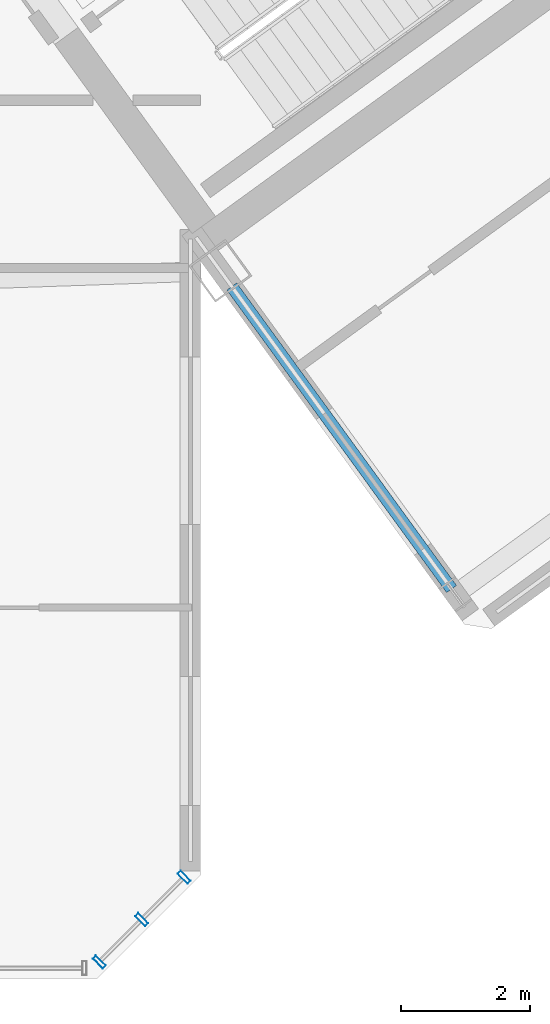
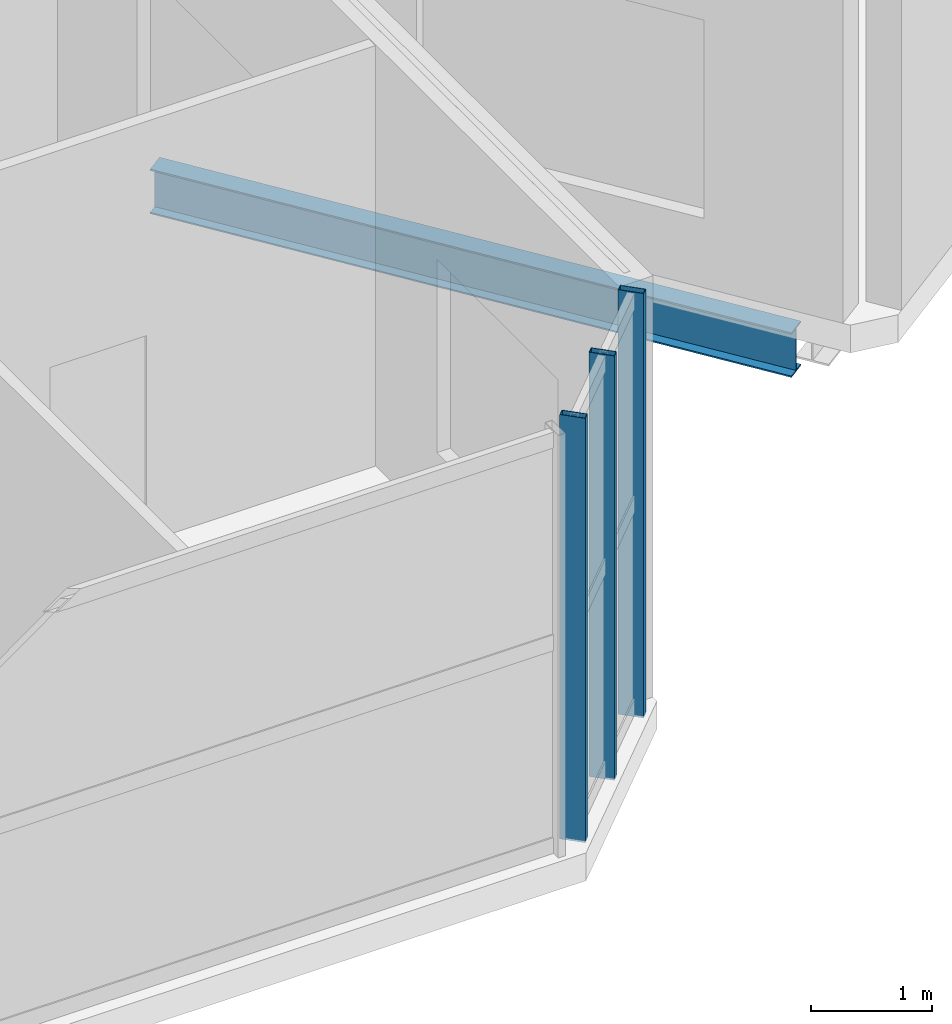
# One storey, part 10 of 27: 3 members, 1 beam, 1 element without a shape of its own.
"""IFC4 building model written with IfcOpenShell, lengths in metres."""

from ifc_helpers import new_model, si_unit, direction, frame, origin, origin_2d, place, context, subcontext, project, spatial, hollow_rectangle, i_section, extrude, source, transform, mapped, material, material_profile, profile_set, type_object, element, aggregate, save


model = new_model("IFC4")

# Units and contexts
model_context = context("Model", 3, precision=1e-05, world=origin(), true_north=direction((0.0, 1.0)))
body_context = subcontext(model_context, "Body", "Model", "MODEL_VIEW")
ifc_project = project(units=[si_unit("LENGTHUNIT", "METRE"), si_unit("AREAUNIT", "SQUARE_METRE"), si_unit("VOLUMEUNIT", "CUBIC_METRE"), si_unit("PLANEANGLEUNIT", "RADIAN"), si_unit("MASSUNIT", "GRAM", prefix="KILO")], contexts=[model_context])

# Site, building, storey
site_placement = place(None, origin())
site = spatial("IfcSite", under=ifc_project, at=site_placement, CompositionType="ELEMENT")
building_placement = place(site_placement, origin())
building = spatial("IfcBuilding", under=site, at=building_placement, Name="Tlacorven Tower", CompositionType="ELEMENT")
storey_placement = place(building_placement, frame((0.0, 0.0, 254.699951171875)))
storey = spatial("IfcBuildingStorey", under=building, at=storey_placement, Name="L64", CompositionType="ELEMENT", Elevation=254.699951171875)

# Beam
ifc_material_1 = material(Name="Steel S355J2", Category="steel")
ifc_material_profile_1 = material_profile(ifc_material_1, i_section(OverallWidth=0.18994140625, OverallDepth=0.449951171875, WebThickness=0.009521484375, FlangeThickness=0.0146484375, at=origin_2d()), Name="IPE 450")
ifc_profile_set_1 = profile_set([ifc_material_profile_1], Name="Steel S355J2")
beam_type = type_object("IfcBeamType", Name="BM-TWR-450", PredefinedType="BEAM", material=ifc_profile_set_1)
shared_shape_1 = source(origin(), body_context, "Body", "SweptSolid", [
    extrude(i_section(OverallWidth=0.18994140625, OverallDepth=0.449951171875, WebThickness=0.009521484375, FlangeThickness=0.0146484375, at=origin_2d()), origin(), (0.0, 0.0, 1.0), 5.800048828125),
])
beam_placement = place(storey_placement, frame((56.291015625, 7.83837890625, -0.5048828125), z_axis=(-0.587781191743, 0.809019944521, 0.0), x_axis=(-0.809019944521, -0.587781191743, 0.0)))
element("IfcBeam", 1, at=beam_placement, inside=storey, type_object=beam_type, Name="L64 beam BM-L64-ET1-1", PredefinedType="BEAM", context=body_context, shape_type="MappedRepresentation", body=[
    mapped(shared_shape_1, transform((0.0, 0.0, 0.0), scale=1.0)),
])

# Curtain wall, members
ifc_material_2 = material(Name="Dark solar low-E double glazing in aluminium frame", Category="aluminium")
curtain_wall_type = type_object("IfcCurtainWallType", Name="CW-COM-AMENITY", PredefinedType="USERDEFINED", material=ifc_material_2)
curtain_wall_placement = place(storey_placement, origin())
curtain_wall = element("IfcCurtainWall", 2, at=curtain_wall_placement, inside=storey, type_object=curtain_wall_type, Name="L64 CW-COM-AMENITY Curtain Wall 296", ObjectType="UNITISED CURTAIN WALL", PredefinedType="USERDEFINED")
ifc_material_3 = material(Name="Aluminium 6063-T6 anodised", Category="aluminium")
ifc_material_profile_2 = material_profile(ifc_material_3, hollow_rectangle(XDim=0.070068359375, YDim=0.219970703125, WallThickness=0.0048828125, at=origin_2d()), Name="ALU MULLION 70X220")
ifc_profile_set_2 = profile_set([ifc_material_profile_2], Name="Aluminium 6063-T6 anodised")
member_type = type_object("IfcMemberType", Name="CWM-01", PredefinedType="MULLION", material=ifc_profile_set_2)
shared_shape_2 = source(origin(), body_context, "Body", "SweptSolid", [
    extrude(hollow_rectangle(XDim=0.070068359375, YDim=0.219970703125, WallThickness=0.0048828125, at=origin_2d()), origin(), (0.0, 0.0, 1.0), 4.280029296875),
])
member_1_placement = place(storey_placement, frame((52.14453125, 3.370849609375, -0.02001953125), z_axis=(0.0, 0.0, 1.0), x_axis=(-0.707106781187, -0.707106781187, 0.0)))
member_1 = element("IfcMember", 3, at=member_1_placement, type_object=member_type, Name="CW-L64-296 Mullion 1", PredefinedType="MULLION", context=body_context, shape_type="MappedRepresentation", body=[
    mapped(shared_shape_2, transform((0.0, 0.0, 0.0), scale=1.0)),
])
member_2_placement = place(storey_placement, frame((51.48681640625, 2.713134765625, -0.02001953125), z_axis=(0.0, 0.0, 1.0), x_axis=(-0.707106781187, -0.707106781187, 0.0)))
member_2 = element("IfcMember", 4, at=member_2_placement, type_object=member_type, Name="CW-L64-296 Mullion 2", PredefinedType="MULLION", context=body_context, shape_type="MappedRepresentation", body=[
    mapped(shared_shape_2, transform((0.0, 0.0, 0.0), scale=1.0)),
])
member_3_placement = place(storey_placement, frame((50.8291015625, 2.055419921875, -0.02001953125), z_axis=(0.0, 0.0, 1.0), x_axis=(-0.707106781187, -0.707106781187, 0.0)))
member_3 = element("IfcMember", 5, at=member_3_placement, type_object=member_type, Name="CW-L64-296 Mullion 3", PredefinedType="MULLION", context=body_context, shape_type="MappedRepresentation", body=[
    mapped(shared_shape_2, transform((0.0, 0.0, 0.0), scale=1.0)),
])
aggregate(curtain_wall, [member_1, member_2, member_3])

save(model, "model.ifc")
